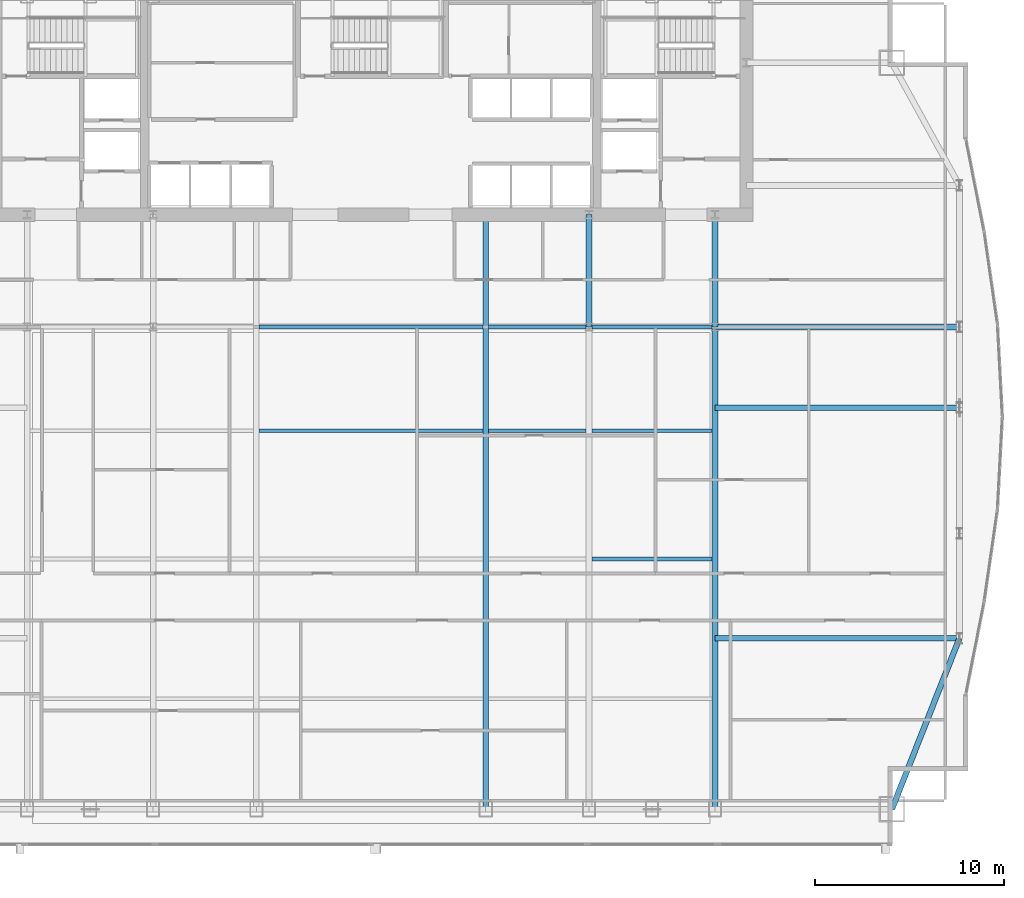
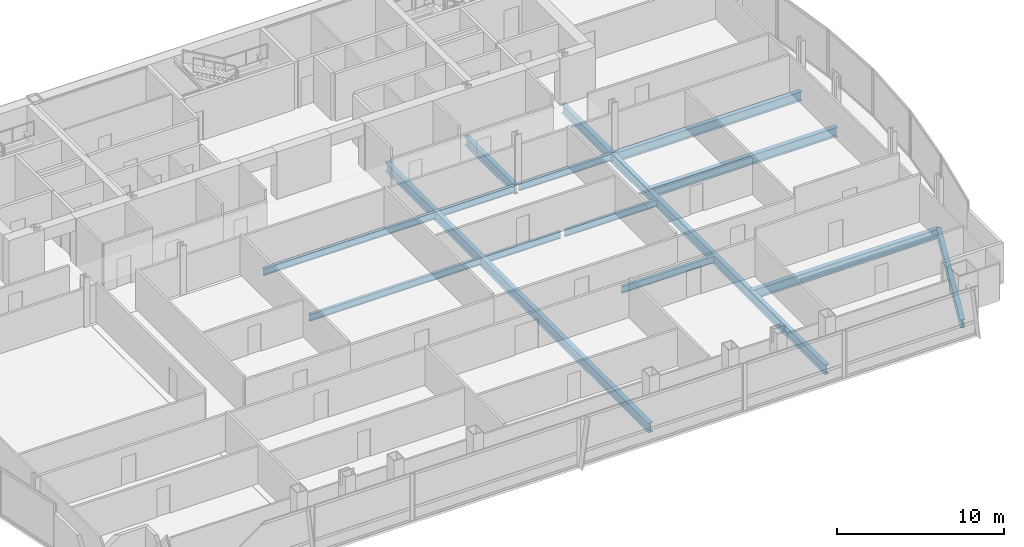
# One storey, part 16 of 29: 15 beams.
"""IFC4 building model written with IfcOpenShell, lengths in metres."""

from ifc_helpers import new_model, si_unit, direction, frame, origin, origin_2d, place, context, subcontext, project, spatial, i_section, extrude, material, material_profile, profile_set, type_object, element, save


model = new_model("IFC4")

# Units and contexts
model_context = context("Model", 3, precision=1e-05, world=origin(), true_north=direction((0.0, 1.0)))
body_context = subcontext(model_context, "Body", "Model", "MODEL_VIEW")
ifc_project = project(units=[si_unit("LENGTHUNIT", "METRE"), si_unit("AREAUNIT", "SQUARE_METRE"), si_unit("VOLUMEUNIT", "CUBIC_METRE"), si_unit("PLANEANGLEUNIT", "RADIAN"), si_unit("MASSUNIT", "GRAM", prefix="KILO")], contexts=[model_context])

# Site, building, storey
site_placement = place(None, origin())
site = spatial("IfcSite", under=ifc_project, at=site_placement, CompositionType="ELEMENT")
building_placement = place(site_placement, origin())
building = spatial("IfcBuilding", under=site, at=building_placement, Name="Khoronbel Lancet Exchange", CompositionType="ELEMENT")
storey_placement = place(building_placement, frame((0.0, 0.0, 154.199951171875)))
storey = spatial("IfcBuildingStorey", under=building, at=storey_placement, Name="L38", CompositionType="ELEMENT", Elevation=154.199951171875)

# Beams
ifc_material = material(Name="Steel S355", Category="steel")
ifc_material_profile_1 = material_profile(ifc_material, i_section(OverallWidth=0.300048828125, OverallDepth=0.699951171875, WebThickness=0.01708984375, FlangeThickness=0.031982421875, at=origin_2d()), Name="HEB 700")
ifc_profile_set_1 = profile_set([ifc_material_profile_1], Name="Steel S355")
beam_type_1 = type_object("IfcBeamType", Name="BM-BG3", PredefinedType="BEAM", material=ifc_profile_set_1)
beam_1_placement = place(storey_placement, frame((42.52490234375, 10.14990234375, -0.510009765625), z_axis=(0.0, 1.0, 0.0), x_axis=(-1.0, 0.0, 0.0)))
element("IfcBeam", 1, at=beam_1_placement, inside=storey, type_object=beam_type_1, Name="Level L38 primary floor girder G4", PredefinedType="BEAM", context=body_context, shape_type="SweptSolid", body=[
    extrude(i_section(OverallWidth=0.300048828125, OverallDepth=0.699951171875, WebThickness=0.01708984375, FlangeThickness=0.031982421875, at=origin_2d()), origin(), (0.0, 0.0, 1.0), 31.5),
])
beam_2_placement = place(storey_placement, frame((48.0, 35.699951171875, -0.510009765625), z_axis=(0.0, 1.0, 0.0), x_axis=(-1.0, 0.0, 0.0)))
element("IfcBeam", 2, at=beam_2_placement, inside=storey, type_object=beam_type_1, Name="Level L38 spine tie girder GN5", PredefinedType="BEAM", context=body_context, shape_type="SweptSolid", body=[
    extrude(i_section(OverallWidth=0.300048828125, OverallDepth=0.699951171875, WebThickness=0.01708984375, FlangeThickness=0.031982421875, at=origin_2d()), origin(), (0.0, 0.0, 1.0), 5.949951171875),
])
beam_3_placement = place(storey_placement, frame((54.675048828125, 10.14990234375, -0.510009765625), z_axis=(0.0, 1.0, 0.0), x_axis=(-1.0, 0.0, 0.0)))
element("IfcBeam", 3, at=beam_3_placement, inside=storey, type_object=beam_type_1, Name="Level L38 south primary girder GS6", PredefinedType="BEAM", context=body_context, shape_type="SweptSolid", body=[
    extrude(i_section(OverallWidth=0.300048828125, OverallDepth=0.699951171875, WebThickness=0.01708984375, FlangeThickness=0.031982421875, at=origin_2d()), origin(), (0.0, 0.0, 1.0), 25.550048828125),
])
beam_4_placement = place(storey_placement, frame((54.675048828125, 35.699951171875, -0.510009765625), z_axis=(0.0, 1.0, 0.0), x_axis=(-1.0, 0.0, 0.0)))
element("IfcBeam", 4, at=beam_4_placement, inside=storey, type_object=beam_type_1, Name="Level L38 spine tie girder GN6", PredefinedType="BEAM", context=body_context, shape_type="SweptSolid", body=[
    extrude(i_section(OverallWidth=0.300048828125, OverallDepth=0.699951171875, WebThickness=0.01708984375, FlangeThickness=0.031982421875, at=origin_2d()), origin(), (0.0, 0.0, 1.0), 5.949951171875),
])
for number, where, z_axis, x_axis, name in (
    (5, (54.675048828125, 19.199951171875, -0.510009765625), (1.0, 0.0, 0.0), (0.0, 1.0, 0.0), "Level L38 east lens tie girder LG1E"),
    (6, (54.675048828125, 31.425048828125, -0.510009765625), (1.0, 0.0, 0.0), (0.0, 1.0, 0.0), "Level L38 east lens tie girder LG2E"),
    (7, (54.675048828125, 35.699951171875, -0.510009765625), (1.0, 0.0, 0.0), (0.0, 1.0, 0.0), "Level L38 east lens tie girder LG4E"),
):
    element("IfcBeam", number, at=place(storey_placement, frame(where, z_axis=z_axis, x_axis=x_axis)), inside=storey, type_object=beam_type_1, Name=name, PredefinedType="BEAM", context=body_context, shape_type="SweptSolid", body=[
        extrude(i_section(OverallWidth=0.300048828125, OverallDepth=0.699951171875, WebThickness=0.01708984375, FlangeThickness=0.031982421875, at=origin_2d()), origin(), (0.0, 0.0, 1.0), 12.954833984375),
    ])
ifc_material_profile_2 = material_profile(ifc_material, i_section(OverallWidth=0.199951171875, OverallDepth=0.5, WebThickness=0.01025390625, FlangeThickness=0.01611328125, at=origin_2d()), Name="IPE 500")
ifc_profile_set_2 = profile_set([ifc_material_profile_2], Name="Steel S355")
beam_type_2 = type_object("IfcBeamType", Name="BM-BJ3", PredefinedType="JOIST", material=ifc_profile_set_2)
beam_5_placement = place(storey_placement, frame((48.14990234375, 23.39990234375, -0.409912109375), z_axis=(1.0, 0.0, 0.0), x_axis=(0.0, 1.0, 0.0)))
element("IfcBeam", 8, at=beam_5_placement, inside=storey, type_object=beam_type_2, Name="Level L38 secondary composite joist J10", PredefinedType="JOIST", context=body_context, shape_type="SweptSolid", body=[
    extrude(i_section(OverallWidth=0.199951171875, OverallDepth=0.5, WebThickness=0.01025390625, FlangeThickness=0.01611328125, at=origin_2d()), origin(), (0.0, 0.0, 1.0), 6.375),
])
beam_6_placement = place(storey_placement, frame((30.52490234375, 30.199951171875, -0.409912109375), z_axis=(1.0, 0.0, 0.0), x_axis=(0.0, 1.0, 0.0)))
element("IfcBeam", 9, at=beam_6_placement, inside=storey, type_object=beam_type_2, Name="Level L38 secondary composite joist J13", PredefinedType="JOIST", context=body_context, shape_type="SweptSolid", body=[
    extrude(i_section(OverallWidth=0.199951171875, OverallDepth=0.5, WebThickness=0.01025390625, FlangeThickness=0.01611328125, at=origin_2d()), origin(), (0.0, 0.0, 1.0), 11.85009765625),
])
beam_7_placement = place(storey_placement, frame((42.675048828125, 30.199951171875, -0.409912109375), z_axis=(1.0, 0.0, 0.0), x_axis=(0.0, 1.0, 0.0)))
element("IfcBeam", 10, at=beam_7_placement, inside=storey, type_object=beam_type_2, Name="Level L38 secondary composite joist J14", PredefinedType="JOIST", context=body_context, shape_type="SweptSolid", body=[
    extrude(i_section(OverallWidth=0.199951171875, OverallDepth=0.5, WebThickness=0.01025390625, FlangeThickness=0.01611328125, at=origin_2d()), origin(), (0.0, 0.0, 1.0), 5.175048828125),
])
beam_8_placement = place(storey_placement, frame((48.14990234375, 30.199951171875, -0.409912109375), z_axis=(1.0, 0.0, 0.0), x_axis=(0.0, 1.0, 0.0)))
element("IfcBeam", 11, at=beam_8_placement, inside=storey, type_object=beam_type_2, Name="Level L38 secondary composite joist J15", PredefinedType="JOIST", context=body_context, shape_type="SweptSolid", body=[
    extrude(i_section(OverallWidth=0.199951171875, OverallDepth=0.5, WebThickness=0.01025390625, FlangeThickness=0.01611328125, at=origin_2d()), origin(), (0.0, 0.0, 1.0), 6.375),
])
beam_9_placement = place(storey_placement, frame((30.52490234375, 35.699951171875, -0.409912109375), z_axis=(1.0, 0.0, 0.0), x_axis=(0.0, 1.0, 0.0)))
element("IfcBeam", 12, at=beam_9_placement, inside=storey, type_object=beam_type_2, Name="Level L38 secondary composite joist J18", PredefinedType="JOIST", context=body_context, shape_type="SweptSolid", body=[
    extrude(i_section(OverallWidth=0.199951171875, OverallDepth=0.5, WebThickness=0.01025390625, FlangeThickness=0.01611328125, at=origin_2d()), origin(), (0.0, 0.0, 1.0), 11.85009765625),
])
beam_10_placement = place(storey_placement, frame((42.675048828125, 35.699951171875, -0.409912109375), z_axis=(1.0, 0.0, 0.0), x_axis=(0.0, 1.0, 0.0)))
element("IfcBeam", 13, at=beam_10_placement, inside=storey, type_object=beam_type_2, Name="Level L38 secondary composite joist J19", PredefinedType="JOIST", context=body_context, shape_type="SweptSolid", body=[
    extrude(i_section(OverallWidth=0.199951171875, OverallDepth=0.5, WebThickness=0.01025390625, FlangeThickness=0.01611328125, at=origin_2d()), origin(), (0.0, 0.0, 1.0), 5.175048828125),
])
beam_11_placement = place(storey_placement, frame((48.14990234375, 35.699951171875, -0.409912109375), z_axis=(1.0, 0.0, 0.0), x_axis=(0.0, 1.0, 0.0)))
element("IfcBeam", 14, at=beam_11_placement, inside=storey, type_object=beam_type_2, Name="Level L38 secondary composite joist J20", PredefinedType="JOIST", context=body_context, shape_type="SweptSolid", body=[
    extrude(i_section(OverallWidth=0.199951171875, OverallDepth=0.5, WebThickness=0.01025390625, FlangeThickness=0.01611328125, at=origin_2d()), origin(), (0.0, 0.0, 1.0), 6.375),
])
ifc_material_profile_3 = material_profile(ifc_material, i_section(OverallWidth=0.300048828125, OverallDepth=0.60009765625, WebThickness=0.015380859375, FlangeThickness=0.030029296875, at=origin_2d()), Name="HEB 600")
ifc_profile_set_3 = profile_set([ifc_material_profile_3], Name="Steel S355")
beam_type_3 = type_object("IfcBeamType", Name="BM-BSP2", PredefinedType="SPANDREL", material=ifc_profile_set_3)
beam_12_placement = place(storey_placement, frame((64.050048828125, 10.14990234375, -0.4599609375), z_axis=(0.367828403855, 0.929893684954, 0.0), x_axis=(-0.929893684954, 0.367828403855, 0.0)))
element("IfcBeam", 15, at=beam_12_placement, inside=storey, type_object=beam_type_3, Name="Level L38 perimeter spandrel beam SP10", PredefinedType="SPANDREL", context=body_context, shape_type="SweptSolid", body=[
    extrude(i_section(OverallWidth=0.300048828125, OverallDepth=0.60009765625, WebThickness=0.015380859375, FlangeThickness=0.030029296875, at=origin_2d()), origin(), (0.0, 0.0, 1.0), 9.732421875),
])

save(model, "model.ifc")
